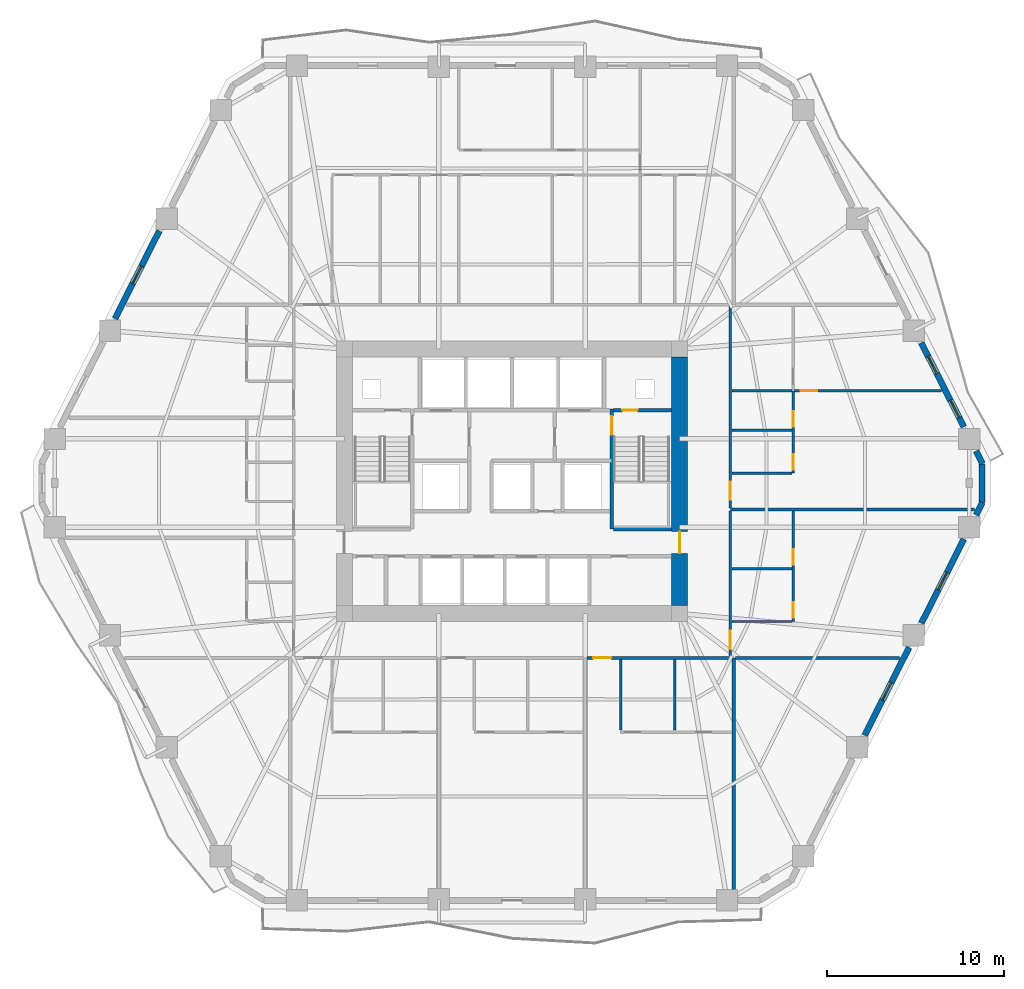
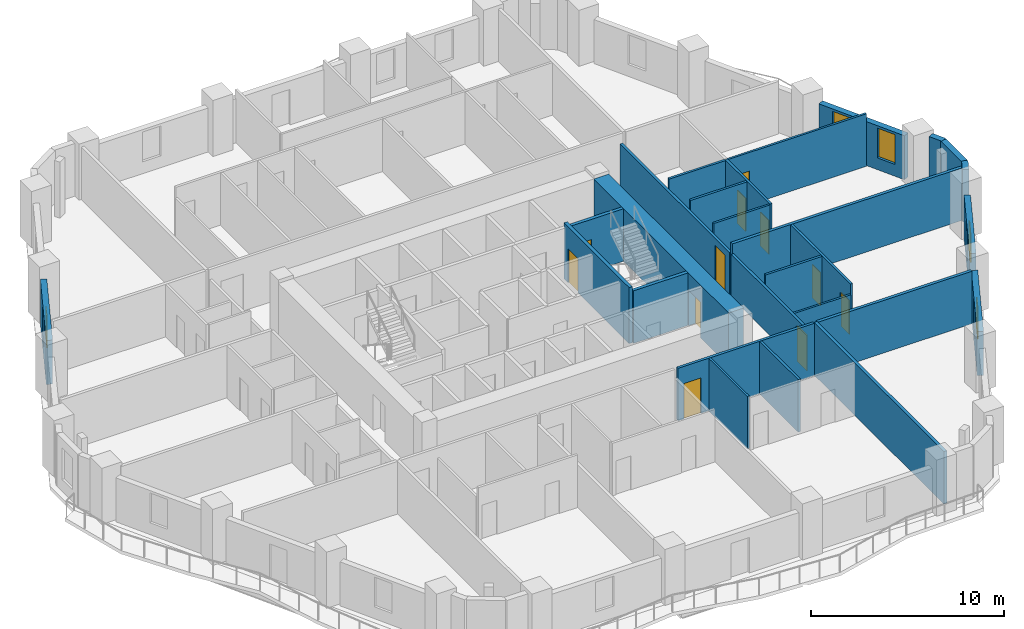
# One storey, part 6 of 11: 27 walls, 11 doors, 5 windows, 16 openings.
"""IFC4 building model written with IfcOpenShell, lengths in metres."""

from ifc_helpers import new_model, si_unit, direction, frame, frame_2d, origin, place, context, subcontext, project, spatial, rectangle, extrude, material, layer, layer_set, type_object, element, fill, save


model = new_model("IFC4")

# Units and contexts
model_context = context("Model", 3, precision=1e-05, world=origin(), true_north=direction((0.0, 1.0)))
body_context = subcontext(model_context, "Body", "Model", "MODEL_VIEW")
ifc_project = project(units=[si_unit("LENGTHUNIT", "METRE"), si_unit("AREAUNIT", "SQUARE_METRE"), si_unit("VOLUMEUNIT", "CUBIC_METRE"), si_unit("PLANEANGLEUNIT", "RADIAN"), si_unit("MASSUNIT", "GRAM", prefix="KILO")], contexts=[model_context])

# Site, building, storey
site_placement = place(None, origin())
site = spatial("IfcSite", under=ifc_project, at=site_placement, CompositionType="ELEMENT")
building_placement = place(site_placement, origin())
building = spatial("IfcBuilding", under=site, at=building_placement, Name="Cinnabar Lancet Tower", CompositionType="ELEMENT")
storey_placement = place(building_placement, frame((0.0, 0.0, 42.64990234375)))
storey = spatial("IfcBuildingStorey", under=building, at=storey_placement, Name="L10", CompositionType="ELEMENT", Elevation=42.64990234375)

# Wall, opening, door
ifc_material_1 = material(Name="Acoustic twin-stud gypsum partition", Category="gypsum")
ifc_layer_1 = layer(ifc_material_1, 0.159912109375)
ifc_layer_set_1 = layer_set([ifc_layer_1], Name="Acoustic twin-stud gypsum partition")
wall_type_1 = type_object("IfcWallType", Name="ARC-WL-CORR-160", PredefinedType="PARTITIONING", material=ifc_layer_set_1)
wall_1_placement = place(storey_placement, frame((36.616943359375, 15.949951171875, 0.0), z_axis=(0.0, 0.0, 1.0), x_axis=(1.0, 0.0, 0.0)))
wall_1 = element("IfcWall", 1, at=wall_1_placement, inside=storey, type_object=wall_type_1, Name="L10 Unit S03 Corridor Wall", PredefinedType="PARTITIONING", context=body_context, shape_type="SweptSolid", body=[
    extrude(rectangle(XDim=8.18798828125, YDim=0.159912109375, at=frame_2d((4.093994140625, 0.0))), origin(), (0.0, 0.0, 1.0), 3.330078125),
])
opening_1_placement = place(wall_1_placement, frame((0.35498046875, 0.0, 0.0)))
opening_1 = element("IfcOpeningElement", 2, at=opening_1_placement, cuts=wall_1, Name="Opening UD-01", PredefinedType="OPENING", context=body_context, shape_type="SweptSolid", body=[
    extrude(rectangle(XDim=1.02001953125, YDim=2.25, at=frame_2d((0.510009765625, 1.125))), frame((0.0, 0.08984375, 0.0), z_axis=(0.0, -1.0, 0.0), x_axis=(1.0, 0.0, 0.0)), (0.0, 0.0, 1.0), 0.179931640625),
])
ifc_material_2 = material(Name="Solid timber fire-rated apartment entrance door", Category="wood")
door_type_1 = type_object("IfcDoorType", Name="ARC-DR-UNIT", OperationType="NOTDEFINED", PredefinedType="DOOR", material=ifc_material_2)
door_1_placement = place(opening_1_placement, origin())
door_1 = element("IfcDoor", 3, at=door_1_placement, inside=storey, type_object=door_type_1, Name="DR-L10-S03-ENT", OperationType="SINGLE_SWING_LEFT", OverallHeight=2.25, OverallWidth=1.02001953125, PredefinedType="DOOR", context=body_context, shape_type="SweptSolid", body=[
    extrude(rectangle(XDim=1.02001953125, YDim=2.25, at=frame_2d((0.510009765625, 1.125))), frame((0.0, 0.02490234375, 0.0), z_axis=(0.0, -1.0, 0.0), x_axis=(1.0, 0.0, 0.0)), (0.0, 0.0, 1.0), 0.050048828125),
])
fill(opening_1, door_1)

wall_2_placement = place(storey_placement, frame((44.699951171875, 16.044921875, 0.0), z_axis=(0.0, 0.0, 1.0), x_axis=(0.0, 1.0, 0.0)))
wall_2 = element("IfcWall", 4, at=wall_2_placement, inside=storey, type_object=wall_type_1, Name="UW-L10-E01-COR", PredefinedType="PARTITIONING", context=body_context, shape_type="SweptSolid", body=[
    extrude(rectangle(XDim=8.16796875, YDim=0.159912109375, at=frame_2d((4.083984375, 0.0))), origin(), (0.0, 0.0, 1.0), 2.7001953125),
])
opening_2_placement = place(wall_2_placement, frame((0.39990234375, 0.0, 0.0)))
opening_2 = element("IfcOpeningElement", 5, at=opening_2_placement, cuts=wall_2, Name="Opening UD-01", PredefinedType="OPENING", context=body_context, shape_type="SweptSolid", body=[
    extrude(rectangle(XDim=1.02001953125, YDim=2.25, at=frame_2d((0.510009765625, 1.125))), frame((0.0, 0.08984375, 0.0), z_axis=(0.0, -1.0, 0.0), x_axis=(1.0, 0.0, 0.0)), (0.0, 0.0, 1.0), 0.179931640625),
])
door_2_placement = place(opening_2_placement, origin())
door_2 = element("IfcDoor", 6, at=door_2_placement, inside=storey, type_object=door_type_1, Name="DR-L10-E01-ENT", OperationType="SINGLE_SWING_RIGHT", OverallHeight=2.25, OverallWidth=1.02001953125, PredefinedType="DOOR", context=body_context, shape_type="SweptSolid", body=[
    extrude(rectangle(XDim=1.02001953125, YDim=2.25, at=frame_2d((0.510009765625, 1.125))), frame((0.0, 0.02490234375, 0.0), z_axis=(0.0, -1.0, 0.0), x_axis=(1.0, 0.0, 0.0)), (0.0, 0.0, 1.0), 0.050048828125),
])
fill(opening_2, door_2)

wall_3_placement = place(storey_placement, frame((44.699951171875, 24.403076171875, 0.0), z_axis=(0.0, 0.0, 1.0), x_axis=(0.0, 1.0, 0.0)))
wall_3 = element("IfcWall", 7, at=wall_3_placement, inside=storey, type_object=wall_type_1, Name="UW-L10-E02-COR", PredefinedType="PARTITIONING", context=body_context, shape_type="SweptSolid", body=[
    extrude(rectangle(XDim=11.351806640625, YDim=0.159912109375, at=frame_2d((5.67578125, 0.0))), origin(), (0.0, 0.0, 1.0), 2.7001953125),
])
opening_3_placement = place(wall_3_placement, frame((0.449951171875, 0.0, 0.0)))
opening_3 = element("IfcOpeningElement", 8, at=opening_3_placement, cuts=wall_3, Name="Opening UD-01", PredefinedType="OPENING", context=body_context, shape_type="SweptSolid", body=[
    extrude(rectangle(XDim=1.02001953125, YDim=2.25, at=frame_2d((0.510009765625, 1.125))), frame((0.0, 0.08984375, 0.0), z_axis=(0.0, -1.0, 0.0), x_axis=(1.0, 0.0, 0.0)), (0.0, 0.0, 1.0), 0.179931640625),
])
door_3_placement = place(opening_3_placement, origin())
door_3 = element("IfcDoor", 9, at=door_3_placement, inside=storey, type_object=door_type_1, Name="DR-L10-E02-ENT", OperationType="SINGLE_SWING_LEFT", OverallHeight=2.25, OverallWidth=1.02001953125, PredefinedType="DOOR", context=body_context, shape_type="SweptSolid", body=[
    extrude(rectangle(XDim=1.02001953125, YDim=2.25, at=frame_2d((0.510009765625, 1.125))), frame((0.0, 0.02490234375, 0.0), z_axis=(0.0, -1.0, 0.0), x_axis=(1.0, 0.0, 0.0)), (0.0, 0.0, 1.0), 0.050048828125),
])
fill(opening_3, door_3)

# Walls
ifc_material_3 = material(Name="Fire-rated twin-frame acoustic drywall", Category="gypsum")
ifc_layer_2 = layer(ifc_material_3, 0.179931640625)
ifc_layer_set_2 = layer_set([ifc_layer_2], Name="Fire-rated twin-frame acoustic drywall")
wall_type_2 = type_object("IfcWallType", Name="ARC-WL-PARTY-180", PredefinedType="PARTITIONING", material=ifc_layer_set_2)
wall_4_placement = place(storey_placement, frame((44.89990234375, 2.455078125, 0.0), z_axis=(0.0, 0.0, 1.0), x_axis=(0.0, 1.0, 0.0)))
element("IfcWall", 10, at=wall_4_placement, inside=storey, type_object=wall_type_2, Name="PW-L10-SPTY-449", PredefinedType="PARTITIONING", context=body_context, shape_type="SweptSolid", body=[
    extrude(rectangle(XDim=13.494873046875, YDim=0.179931640625, at=frame_2d((6.74755859375, 0.0))), origin(), (0.0, 0.0, 1.0), 3.330078125),
])
wall_5_placement = place(storey_placement, frame((44.9951171875, 15.949951171875, 0.0), z_axis=(0.0, 0.0, 1.0), x_axis=(1.0, 0.0, 0.0)))
element("IfcWall", 11, at=wall_5_placement, inside=storey, type_object=wall_type_2, Name="PW-L10-ESB", PredefinedType="PARTITIONING", context=body_context, shape_type="SweptSolid", body=[
    extrude(rectangle(XDim=9.240966796875, YDim=0.179931640625, at=frame_2d((4.62060546875, 0.0))), origin(), (0.0, 0.0, 1.0), 3.330078125),
])
wall_6_placement = place(storey_placement, frame((44.699951171875, 24.30810546875, 0.0), z_axis=(0.0, 0.0, 1.0), x_axis=(1.0, 0.0, 0.0)))
element("IfcWall", 12, at=wall_6_placement, inside=storey, type_object=wall_type_2, Name="PW-L10-EPTY-1", PredefinedType="PARTITIONING", context=body_context, shape_type="SweptSolid", body=[
    extrude(rectangle(XDim=13.76611328125, YDim=0.179931640625, at=frame_2d((6.883056640625, 0.0))), origin(), (0.0, 0.0, 1.0), 3.330078125),
])
ifc_material_4 = material(Name="Autoclaved aerated concrete blockwork", Category="masonry")
ifc_layer_3 = layer(ifc_material_4, 0.199951171875)
ifc_layer_set_3 = layer_set([ifc_layer_3], Name="Autoclaved aerated concrete blockwork")
wall_type_3 = type_object("IfcWallType", Name="ARC-WL-SHAFT-200", PredefinedType="PLUMBINGWALL", material=ifc_layer_set_3)
wall_7_placement = place(storey_placement, frame((38.125, 23.199951171875, 0.0), z_axis=(0.0, 0.0, 1.0), x_axis=(1.0, 0.0, 0.0)))
element("IfcWall", 13, at=wall_7_placement, inside=storey, type_object=wall_type_3, Name="CW-ST2S-L10", PredefinedType="PLUMBINGWALL", context=body_context, shape_type="SweptSolid", body=[
    extrude(rectangle(XDim=3.27001953125, YDim=0.199951171875, at=frame_2d((1.635009765625, 0.0))), origin(), (0.0, 0.0, 1.0), 3.330078125),
])

# Wall, opening, door
wall_8_placement = place(storey_placement, frame((38.125, 29.89990234375, 0.0), z_axis=(0.0, 0.0, 1.0), x_axis=(1.0, 0.0, 0.0)))
wall_8 = element("IfcWall", 14, at=wall_8_placement, inside=storey, type_object=wall_type_3, Name="CW-NSH-E-L10", PredefinedType="PLUMBINGWALL", context=body_context, shape_type="SweptSolid", body=[
    extrude(rectangle(XDim=3.27001953125, YDim=0.199951171875, at=frame_2d((1.635009765625, 0.0))), origin(), (0.0, 0.0, 1.0), 3.330078125),
])
opening_4_placement = place(wall_8_placement, frame((0.5, 0.0, 0.0)))
opening_4 = element("IfcOpeningElement", 15, at=opening_4_placement, cuts=wall_8, Name="Opening PD-02", PredefinedType="OPENING", context=body_context, shape_type="SweptSolid", body=[
    extrude(rectangle(XDim=0.85009765625, YDim=2.050048828125, at=frame_2d((0.425048828125, 1.02490234375))), frame((0.0, 0.10986328125, 0.0), z_axis=(0.0, -1.0, 0.0), x_axis=(1.0, 0.0, 0.0)), (0.0, 0.0, 1.0), 0.219970703125),
])
ifc_material_5 = material(Name="Fire-rated steel riser access door", Category="steel")
door_type_2 = type_object("IfcDoorType", Name="ARC-DR-RISER", OperationType="NOTDEFINED", PredefinedType="DOOR", material=ifc_material_5)
door_4_placement = place(opening_4_placement, origin())
door_4 = element("IfcDoor", 16, at=door_4_placement, inside=storey, type_object=door_type_2, Name="L10 East Riser Access Door", OperationType="SINGLE_SWING_RIGHT", OverallHeight=2.050048828125, OverallWidth=0.85009765625, PredefinedType="DOOR", context=body_context, shape_type="SweptSolid", body=[
    extrude(rectangle(XDim=0.85009765625, YDim=2.050048828125, at=frame_2d((0.425048828125, 1.02490234375))), frame((0.0, 0.02490234375, 0.0), z_axis=(0.0, -1.0, 0.0), x_axis=(1.0, 0.0, 0.0)), (0.0, 0.0, 1.0), 0.050048828125),
])
fill(opening_4, door_4)

# Walls
ifc_material_6 = material(Name="Gypsum plasterboard stud partition", Category="gypsum")
ifc_layer_4 = layer(ifc_material_6, 0.125)
ifc_layer_set_4 = layer_set([ifc_layer_4], Name="Gypsum plasterboard stud partition")
wall_type_4 = type_object("IfcWallType", Name="ARC-WL-UNIT-125", PredefinedType="PARTITIONING", material=ifc_layer_set_4)
wall_9_placement = place(storey_placement, frame((38.52197265625, 11.8720703125, 0.0), z_axis=(0.0, 0.0, 1.0), x_axis=(0.0, 1.0, 0.0)))
element("IfcWall", 17, at=wall_9_placement, inside=storey, type_object=wall_type_4, Name="UW-L10-S03-FOYE", PredefinedType="PARTITIONING", context=body_context, shape_type="SweptSolid", body=[
    extrude(rectangle(XDim=3.992919921875, YDim=0.125, at=frame_2d((1.99658203125, 0.0))), origin(), (0.0, 0.0, 1.0), 3.330078125),
])
wall_10_placement = place(storey_placement, frame((44.784912109375, 18.0, 0.0), z_axis=(0.0, 0.0, 1.0), x_axis=(1.0, 0.0, 0.0)))
element("IfcWall", 18, at=wall_10_placement, inside=storey, type_object=wall_type_4, Name="UW-L10-E01-FOYN", PredefinedType="PARTITIONING", context=body_context, shape_type="SweptSolid", body=[
    extrude(rectangle(XDim=3.380126953125, YDim=0.125, at=frame_2d((1.68994140625, 0.0))), origin(), (0.0, 0.0, 1.0), 2.7001953125),
])
wall_11_placement = place(storey_placement, frame((44.784912109375, 26.35791015625, 0.0), z_axis=(0.0, 0.0, 1.0), x_axis=(1.0, 0.0, 0.0)))
element("IfcWall", 19, at=wall_11_placement, inside=storey, type_object=wall_type_4, Name="UW-L10-E02-FOYN", PredefinedType="PARTITIONING", context=body_context, shape_type="SweptSolid", body=[
    extrude(rectangle(XDim=3.380126953125, YDim=0.125, at=frame_2d((1.68994140625, 0.0))), origin(), (0.0, 0.0, 1.0), 3.330078125),
])

# Wall, opening, door
wall_12_placement = place(storey_placement, frame((48.324951171875, 31.001953125, 0.0), z_axis=(0.0, 0.0, 1.0), x_axis=(1.0, 0.0, 0.0)))
wall_12 = element("IfcWall", 20, at=wall_12_placement, inside=storey, type_object=wall_type_4, Name="UW-L10-E02-MBN", PredefinedType="PARTITIONING", context=body_context, shape_type="SweptSolid", body=[
    extrude(rectangle(XDim=8.279052734375, YDim=0.125, at=frame_2d((4.1396484375, 0.0))), origin(), (0.0, 0.0, 1.0), 3.330078125),
])
opening_5_placement = place(wall_12_placement, frame((0.35009765625, 0.0, 0.0)))
opening_5 = element("IfcOpeningElement", 21, at=opening_5_placement, cuts=wall_12, Name="Opening RD-01", PredefinedType="OPENING", context=body_context, shape_type="SweptSolid", body=[
    extrude(rectangle(XDim=0.919921875, YDim=2.14990234375, at=frame_2d((0.4599609375, 1.074951171875))), frame((0.0, 0.072509765625, 0.0), z_axis=(0.0, -1.0, 0.0), x_axis=(1.0, 0.0, 0.0)), (0.0, 0.0, 1.0), 0.14501953125),
])
ifc_material_7 = material(Name="Engineered timber bedroom door", Category="wood")
door_type_3 = type_object("IfcDoorType", Name="ARC-DR-ROOM", OperationType="NOTDEFINED", PredefinedType="DOOR", material=ifc_material_7)
door_5_placement = place(opening_5_placement, origin())
door_5 = element("IfcDoor", 22, at=door_5_placement, inside=storey, type_object=door_type_3, Name="DR-L10-E02-MBD", OperationType="SINGLE_SWING_LEFT", OverallHeight=2.14990234375, OverallWidth=0.919921875, PredefinedType="DOOR", context=body_context, shape_type="SweptSolid", body=[
    extrude(rectangle(XDim=0.919921875, YDim=2.14990234375, at=frame_2d((0.4599609375, 1.074951171875))), frame((0.0, 0.02490234375, 0.0), z_axis=(0.0, -1.0, 0.0), x_axis=(1.0, 0.0, 0.0)), (0.0, 0.0, 1.0), 0.050048828125),
])
fill(opening_5, door_5)

# Wall
ifc_material_8 = material(Name="Moisture-resistant cement-board plumbing wall", Category="masonry")
ifc_layer_5 = layer(ifc_material_8, 0.139892578125)
ifc_layer_set_5 = layer_set([ifc_layer_5], Name="Moisture-resistant cement-board plumbing wall")
wall_type_5 = type_object("IfcWallType", Name="ARC-WL-WET-140", PredefinedType="PLUMBINGWALL", material=ifc_layer_set_5)
wall_13_placement = place(storey_placement, frame((41.5830078125, 11.8720703125, 0.0), z_axis=(0.0, 0.0, 1.0), x_axis=(0.0, 1.0, 0.0)))
element("IfcWall", 23, at=wall_13_placement, inside=storey, type_object=wall_type_5, Name="UW-L10-S03-KDV", PredefinedType="PLUMBINGWALL", context=body_context, shape_type="SweptSolid", body=[
    extrude(rectangle(XDim=3.992919921875, YDim=0.139892578125, at=frame_2d((1.99658203125, 0.0))), origin(), (0.0, 0.0, 1.0), 3.330078125),
])

# Wall, openings, doors
wall_14_placement = place(storey_placement, frame((48.25, 18.0, 0.0), z_axis=(0.0, 0.0, 1.0), x_axis=(0.0, 1.0, 0.0)))
wall_14 = element("IfcWall", 24, at=wall_14_placement, inside=storey, type_object=wall_type_5, Name="UW-L10-E01-SPL", PredefinedType="PLUMBINGWALL", context=body_context, shape_type="SweptSolid", body=[
    extrude(rectangle(XDim=6.212890625, YDim=0.139892578125, at=frame_2d((3.1064453125, 0.0))), origin(), (0.0, 0.0, 1.0), 3.330078125),
])
opening_6_placement = place(wall_14_placement, frame((3.201904296875, 0.0, 0.0)))
opening_6 = element("IfcOpeningElement", 25, at=opening_6_placement, cuts=wall_14, Name="Opening BD-01", PredefinedType="OPENING", context=body_context, shape_type="SweptSolid", body=[
    extrude(rectangle(XDim=0.860107421875, YDim=2.10009765625, at=frame_2d((0.43017578125, 1.050048828125))), frame((0.0, 0.079833984375, 0.0), z_axis=(0.0, -1.0, 0.0), x_axis=(1.0, 0.0, 0.0)), (0.0, 0.0, 1.0), 0.159912109375),
])
opening_7_placement = place(wall_14_placement, frame((0.199951171875, 0.0, 0.0)))
opening_7 = element("IfcOpeningElement", 26, at=opening_7_placement, cuts=wall_14, Name="Opening RD-02", PredefinedType="OPENING", context=body_context, shape_type="SweptSolid", body=[
    extrude(rectangle(XDim=0.8798828125, YDim=2.14990234375, at=frame_2d((0.43994140625, 1.074951171875))), frame((0.0, 0.079833984375, 0.0), z_axis=(0.0, -1.0, 0.0), x_axis=(1.0, 0.0, 0.0)), (0.0, 0.0, 1.0), 0.159912109375),
])
ifc_material_9 = material(Name="Moisture-resistant timber bathroom door", Category="wood")
door_type_4 = type_object("IfcDoorType", Name="ARC-DR-BATH", OperationType="NOTDEFINED", PredefinedType="DOOR", material=ifc_material_9)
door_6_placement = place(opening_6_placement, origin())
door_6 = element("IfcDoor", 27, at=door_6_placement, inside=storey, type_object=door_type_4, Name="DR-L10-E01-BTH", OperationType="SINGLE_SWING_RIGHT", OverallHeight=2.10009765625, OverallWidth=0.860107421875, PredefinedType="DOOR", context=body_context, shape_type="SweptSolid", body=[
    extrude(rectangle(XDim=0.860107421875, YDim=2.10009765625, at=frame_2d((0.43017578125, 1.050048828125))), frame((0.0, 0.02490234375, 0.0), z_axis=(0.0, -1.0, 0.0), x_axis=(1.0, 0.0, 0.0)), (0.0, 0.0, 1.0), 0.050048828125),
])
fill(opening_6, door_6)
ifc_material_10 = material(Name="Engineered timber study door", Category="wood")
door_type_5 = type_object("IfcDoorType", Name="ARC-DR-STUDY", OperationType="NOTDEFINED", PredefinedType="DOOR", material=ifc_material_10)
door_7_placement = place(opening_7_placement, origin())
door_7 = element("IfcDoor", 28, at=door_7_placement, inside=storey, type_object=door_type_5, Name="DR-L10-E01-KIT", OperationType="SINGLE_SWING_LEFT", OverallHeight=2.14990234375, OverallWidth=0.8798828125, PredefinedType="DOOR", context=body_context, shape_type="SweptSolid", body=[
    extrude(rectangle(XDim=0.8798828125, YDim=2.14990234375, at=frame_2d((0.43994140625, 1.074951171875))), frame((0.0, 0.02490234375, 0.0), z_axis=(0.0, -1.0, 0.0), x_axis=(1.0, 0.0, 0.0)), (0.0, 0.0, 1.0), 0.050048828125),
])
fill(opening_7, door_7)

# Wall
wall_15_placement = place(storey_placement, frame((44.784912109375, 20.98193359375, 0.0), z_axis=(0.0, 0.0, 1.0), x_axis=(1.0, 0.0, 0.0)))
element("IfcWall", 29, at=wall_15_placement, inside=storey, type_object=wall_type_5, Name="UW-L10-E01-KDV", PredefinedType="PLUMBINGWALL", context=body_context, shape_type="SweptSolid", body=[
    extrude(rectangle(XDim=3.380126953125, YDim=0.139892578125, at=frame_2d((1.68994140625, 0.0))), origin(), (0.0, 0.0, 1.0), 3.330078125),
])

# Wall, openings, doors
wall_16_placement = place(storey_placement, frame((48.25, 26.35791015625, 0.0), z_axis=(0.0, 0.0, 1.0), x_axis=(0.0, 1.0, 0.0)))
wall_16 = element("IfcWall", 30, at=wall_16_placement, inside=storey, type_object=wall_type_5, Name="UW-L10-E02-SPL", PredefinedType="PLUMBINGWALL", context=body_context, shape_type="SweptSolid", body=[
    extrude(rectangle(XDim=4.64404296875, YDim=0.139892578125, at=frame_2d((2.322021484375, 0.0))), origin(), (0.0, 0.0, 1.0), 3.330078125),
])
opening_8_placement = place(wall_16_placement, frame((0.199951171875, 0.0, 0.0)))
opening_8 = element("IfcOpeningElement", 31, at=opening_8_placement, cuts=wall_16, Name="Opening RD-02", PredefinedType="OPENING", context=body_context, shape_type="SweptSolid", body=[
    extrude(rectangle(XDim=0.8798828125, YDim=2.14990234375, at=frame_2d((0.43994140625, 1.074951171875))), frame((0.0, 0.079833984375, 0.0), z_axis=(0.0, -1.0, 0.0), x_axis=(1.0, 0.0, 0.0)), (0.0, 0.0, 1.0), 0.159912109375),
])
opening_9_placement = place(wall_16_placement, frame((2.614990234375, 0.0, 0.0)))
opening_9 = element("IfcOpeningElement", 32, at=opening_9_placement, cuts=wall_16, Name="Opening BD-01", PredefinedType="OPENING", context=body_context, shape_type="SweptSolid", body=[
    extrude(rectangle(XDim=0.860107421875, YDim=2.10009765625, at=frame_2d((0.43017578125, 1.050048828125))), frame((0.0, 0.079833984375, 0.0), z_axis=(0.0, -1.0, 0.0), x_axis=(1.0, 0.0, 0.0)), (0.0, 0.0, 1.0), 0.159912109375),
])
door_8_placement = place(opening_9_placement, origin())
door_8 = element("IfcDoor", 33, at=door_8_placement, inside=storey, type_object=door_type_4, Name="DR-L10-E02-BTH", OperationType="SINGLE_SWING_LEFT", OverallHeight=2.10009765625, OverallWidth=0.860107421875, PredefinedType="DOOR", context=body_context, shape_type="SweptSolid", body=[
    extrude(rectangle(XDim=0.860107421875, YDim=2.10009765625, at=frame_2d((0.43017578125, 1.050048828125))), frame((0.0, 0.02490234375, 0.0), z_axis=(0.0, -1.0, 0.0), x_axis=(1.0, 0.0, 0.0)), (0.0, 0.0, 1.0), 0.050048828125),
])
fill(opening_9, door_8)
door_9_placement = place(opening_8_placement, origin())
door_9 = element("IfcDoor", 34, at=door_9_placement, inside=storey, type_object=door_type_5, Name="DR-L10-E02-KIT", OperationType="SINGLE_SWING_RIGHT", OverallHeight=2.14990234375, OverallWidth=0.8798828125, PredefinedType="DOOR", context=body_context, shape_type="SweptSolid", body=[
    extrude(rectangle(XDim=0.8798828125, YDim=2.14990234375, at=frame_2d((0.43994140625, 1.074951171875))), frame((0.0, 0.02490234375, 0.0), z_axis=(0.0, -1.0, 0.0), x_axis=(1.0, 0.0, 0.0)), (0.0, 0.0, 1.0), 0.050048828125),
])
fill(opening_8, door_9)

# Walls
for number, where, z_axis, x_axis, name in (
    (35, (44.784912109375, 31.001953125, 0.0), (0.0, 0.0, 1.0), (1.0, 0.0, 0.0), "UW-L10-E02-ENSN"),
    (36, (44.784912109375, 28.77294921875, 0.0), (0.0, 0.0, 1.0), (1.0, 0.0, 0.0), "UW-L10-E02-KDV"),
):
    element("IfcWall", number, at=place(storey_placement, frame(where, z_axis=z_axis, x_axis=x_axis)), inside=storey, type_object=wall_type_5, Name=name, PredefinedType="PLUMBINGWALL", context=body_context, shape_type="SweptSolid", body=[
        extrude(rectangle(XDim=3.380126953125, YDim=0.139892578125, at=frame_2d((1.68994140625, 0.0))), origin(), (0.0, 0.0, 1.0), 3.330078125),
    ])
ifc_material_11 = material(Name="Cinnabar red clay brick", Category="masonry")
ifc_layer_6 = layer(ifc_material_11, 0.340087890625)
ifc_layer_set_6 = layer_set([ifc_layer_6], Name="Cinnabar red clay brick")
wall_type_6 = type_object("IfcWallType", Name="ENV-WL-BRK-RED-340", PredefinedType="STANDARD", material=ifc_layer_set_6)
wall_17_placement = place(storey_placement, frame((58.887939453125, 24.714111328125, 0.0), z_axis=(0.0, 0.0, 1.0), x_axis=(0.0, 1.0, 0.0)))
element("IfcWall", 37, at=wall_17_placement, inside=storey, type_object=wall_type_6, Name="L10 Chamfered Corner Brick Pier 3.1", PredefinedType="STANDARD", context=body_context, shape_type="SweptSolid", body=[
    extrude(rectangle(XDim=2.171875, YDim=0.340087890625, at=frame_2d((1.0859375, 0.0))), origin(), (0.0, 0.0, 1.0), 3.330078125),
])

# Wall, opening, window
wall_18_placement = place(storey_placement, frame((52.27099609375, 11.590087890625, 0.0), z_axis=(0.0, 0.0, 1.0), x_axis=(0.451592100298, 0.892224509273, 0.0)))
wall_18 = element("IfcWall", 38, at=wall_18_placement, inside=storey, type_object=wall_type_6, Name="L10 Face 2 Masonry Bay Wall 3", PredefinedType="STANDARD", context=body_context, shape_type="SweptSolid", body=[
    extrude(rectangle(XDim=5.546875, YDim=0.340087890625, at=frame_2d((2.7734375, 0.0))), origin(), (0.0, 0.0, 1.0), 2.787109375),
])
opening_10_placement = place(wall_18_placement, frame((2.222900390625, 0.0, 0.75)))
opening_10 = element("IfcOpeningElement", 39, at=opening_10_placement, cuts=wall_18, Name="Opening WN-04", PredefinedType="OPENING", context=body_context, shape_type="SweptSolid", body=[
    extrude(rectangle(XDim=1.10009765625, YDim=1.886962890625, at=frame_2d((0.550048828125, 0.943359375))), frame((0.0, 0.179931640625, 0.0), z_axis=(0.0, -1.0, 0.0), x_axis=(1.0, 0.0, 0.0)), (0.0, 0.0, 1.0), 0.360107421875),
])
ifc_material_12 = material(Name="Thermally broken bronze-anodized aluminium tall lancet window", Category="aluminium")
window_type = type_object("IfcWindowType", Name="ENV-WN-LANCET-1100", PartitioningType="SINGLE_PANEL", PredefinedType="WINDOW", material=ifc_material_12)
window_1_placement = place(opening_10_placement, origin())
window_1 = element("IfcWindow", 40, at=window_1_placement, inside=storey, type_object=window_type, Name="L10 Face 2 Gothic Lancet Window 3", OverallHeight=1.886962890625, OverallWidth=1.10009765625, PartitioningType="SINGLE_PANEL", PredefinedType="WINDOW", context=body_context, shape_type="SweptSolid", body=[
    extrude(rectangle(XDim=1.10009765625, YDim=1.886962890625, at=frame_2d((0.550048828125, 0.943359375))), frame((0.0, 0.030029296875, 0.0), z_axis=(0.0, -1.0, 0.0), x_axis=(1.0, 0.0, 0.0)), (0.0, 0.0, 1.0), 0.06005859375),
])
fill(opening_10, window_1)

wall_19_placement = place(storey_placement, frame((55.465087890625, 17.90087890625, 0.0), z_axis=(0.0, 0.0, 1.0), x_axis=(0.451572088722, 0.892234637686, 0.0)))
wall_19 = element("IfcWall", 41, at=wall_19_placement, inside=storey, type_object=wall_type_6, Name="L10 Face 2 Masonry Bay Wall 4", PredefinedType="STANDARD", context=body_context, shape_type="SweptSolid", body=[
    extrude(rectangle(XDim=5.3037109375, YDim=0.340087890625, at=frame_2d((2.65185546875, 0.0))), origin(), (0.0, 0.0, 1.0), 2.787109375),
])
opening_11_placement = place(wall_19_placement, frame((2.10205078125, 0.0, 0.75)))
opening_11 = element("IfcOpeningElement", 42, at=opening_11_placement, cuts=wall_19, Name="Opening WN-04", PredefinedType="OPENING", context=body_context, shape_type="SweptSolid", body=[
    extrude(rectangle(XDim=1.10009765625, YDim=1.886962890625, at=frame_2d((0.550048828125, 0.943359375))), frame((0.0, 0.179931640625, 0.0), z_axis=(0.0, -1.0, 0.0), x_axis=(1.0, 0.0, 0.0)), (0.0, 0.0, 1.0), 0.360107421875),
])
window_2_placement = place(opening_11_placement, origin())
window_2 = element("IfcWindow", 43, at=window_2_placement, inside=storey, type_object=window_type, Name="L10 Face 2 Gothic Lancet Window 4", OverallHeight=1.886962890625, OverallWidth=1.10009765625, PartitioningType="SINGLE_PANEL", PredefinedType="WINDOW", context=body_context, shape_type="SweptSolid", body=[
    extrude(rectangle(XDim=1.10009765625, YDim=1.886962890625, at=frame_2d((0.550048828125, 0.943359375))), frame((0.0, 0.030029296875, 0.0), z_axis=(0.0, -1.0, 0.0), x_axis=(1.0, 0.0, 0.0)), (0.0, 0.0, 1.0), 0.06005859375),
])
fill(opening_11, window_2)

# Walls
for number, where, z_axis, x_axis, name in (
    (44, (58.548095703125, 23.9951171875, 0.0), (0.0, 0.0, 1.0), (0.452101093511, 0.891966704113, 0.0), "L10 Face 2 Masonry Bay Wall 5"),
    (45, (58.908935546875, 26.89306640625, 0.0), (0.0, 0.0, 1.0), (-0.452101093511, 0.891966704113, 0.0), "L10 Face 3 Masonry Bay Wall 1"),
):
    element("IfcWall", number, at=place(storey_placement, frame(where, z_axis=z_axis, x_axis=x_axis)), inside=storey, type_object=wall_type_6, Name=name, PredefinedType="STANDARD", context=body_context, shape_type="SweptSolid", body=[
        extrude(rectangle(XDim=0.798095703125, YDim=0.340087890625, at=frame_2d((0.39892578125, 0.0))), origin(), (0.0, 0.0, 1.0), 3.330078125),
    ])

# Wall, openings, windows
wall_20_placement = place(storey_placement, frame((57.860107421875, 28.967041015625, 0.0), z_axis=(0.0, 0.0, 1.0), x_axis=(-0.451590635984, 0.892225250422, 0.0)))
wall_20 = element("IfcWall", 46, at=wall_20_placement, inside=storey, type_object=wall_type_6, Name="L10 Face 3 Masonry Bay Wall 2", PredefinedType="STANDARD", context=body_context, shape_type="SweptSolid", body=[
    extrude(rectangle(XDim=5.303466796875, YDim=0.340087890625, at=frame_2d((2.65185546875, 0.0))), origin(), (0.0, 0.0, 1.0), 2.787109375),
])
opening_12_placement = place(wall_20_placement, frame((0.5810546875, 0.0, 0.75)))
opening_12 = element("IfcOpeningElement", 47, at=opening_12_placement, cuts=wall_20, Name="Opening WN-04", PredefinedType="OPENING", context=body_context, shape_type="SweptSolid", body=[
    extrude(rectangle(XDim=1.10009765625, YDim=1.886962890625, at=frame_2d((0.550048828125, 0.943359375))), frame((0.0, 0.179931640625, 0.0), z_axis=(0.0, -1.0, 0.0), x_axis=(1.0, 0.0, 0.0)), (0.0, 0.0, 1.0), 0.360107421875),
])
opening_13_placement = place(wall_20_placement, frame((3.35302734375, 0.0, 0.75)))
opening_13 = element("IfcOpeningElement", 48, at=opening_13_placement, cuts=wall_20, Name="Opening WN-04", PredefinedType="OPENING", context=body_context, shape_type="SweptSolid", body=[
    extrude(rectangle(XDim=1.10009765625, YDim=1.886962890625, at=frame_2d((0.550048828125, 0.943359375))), frame((0.0, 0.179931640625, 0.0), z_axis=(0.0, -1.0, 0.0), x_axis=(1.0, 0.0, 0.0)), (0.0, 0.0, 1.0), 0.360107421875),
])
window_3_placement = place(opening_12_placement, origin())
window_3 = element("IfcWindow", 49, at=window_3_placement, inside=storey, type_object=window_type, Name="L10 Face 3 Gothic Lancet Window 2", OverallHeight=1.886962890625, OverallWidth=1.10009765625, PartitioningType="SINGLE_PANEL", PredefinedType="WINDOW", context=body_context, shape_type="SweptSolid", body=[
    extrude(rectangle(XDim=1.10009765625, YDim=1.886962890625, at=frame_2d((0.550048828125, 0.943359375))), frame((0.0, 0.030029296875, 0.0), z_axis=(0.0, -1.0, 0.0), x_axis=(1.0, 0.0, 0.0)), (0.0, 0.0, 1.0), 0.06005859375),
])
fill(opening_12, window_3)
window_4_placement = place(opening_13_placement, origin())
window_4 = element("IfcWindow", 50, at=window_4_placement, inside=storey, type_object=window_type, Name="L10 Split-Bay Gothic Lancet Window 18", OverallHeight=1.886962890625, OverallWidth=1.10009765625, PartitioningType="SINGLE_PANEL", PredefinedType="WINDOW", context=body_context, shape_type="SweptSolid", body=[
    extrude(rectangle(XDim=1.10009765625, YDim=1.886962890625, at=frame_2d((0.550048828125, 0.943359375))), frame((0.0, 0.030029296875, 0.0), z_axis=(0.0, -1.0, 0.0), x_axis=(1.0, 0.0, 0.0)), (0.0, 0.0, 1.0), 0.06005859375),
])
fill(opening_13, window_4)

# Wall, opening, window
wall_21_placement = place(storey_placement, frame((12.529052734375, 40.010009765625, 0.0), z_axis=(0.0, 0.0, 1.0), x_axis=(-0.451627137896, -0.892206774417, 0.0)))
wall_21 = element("IfcWall", 51, at=wall_21_placement, inside=storey, type_object=wall_type_6, Name="L10 Face 5 Masonry Bay Wall 3", PredefinedType="STANDARD", context=body_context, shape_type="SweptSolid", body=[
    extrude(rectangle(XDim=5.546875, YDim=0.340087890625, at=frame_2d((2.7734375, 0.0))), origin(), (0.0, 0.0, 1.0), 2.787109375),
])
opening_14_placement = place(wall_21_placement, frame((2.222900390625, 0.0, 0.75)))
opening_14 = element("IfcOpeningElement", 52, at=opening_14_placement, cuts=wall_21, Name="Opening WN-04", PredefinedType="OPENING", context=body_context, shape_type="SweptSolid", body=[
    extrude(rectangle(XDim=1.10009765625, YDim=1.886962890625, at=frame_2d((0.550048828125, 0.943359375))), frame((0.0, 0.179931640625, 0.0), z_axis=(0.0, -1.0, 0.0), x_axis=(1.0, 0.0, 0.0)), (0.0, 0.0, 1.0), 0.360107421875),
])
window_5_placement = place(opening_14_placement, origin())
window_5 = element("IfcWindow", 53, at=window_5_placement, inside=storey, type_object=window_type, Name="L10 Face 5 Gothic Lancet Window 3", OverallHeight=1.886962890625, OverallWidth=1.10009765625, PartitioningType="SINGLE_PANEL", PredefinedType="WINDOW", context=body_context, shape_type="SweptSolid", body=[
    extrude(rectangle(XDim=1.10009765625, YDim=1.886962890625, at=frame_2d((0.550048828125, 0.943359375))), frame((0.0, 0.030029296875, 0.0), z_axis=(0.0, -1.0, 0.0), x_axis=(1.0, 0.0, 0.0)), (0.0, 0.0, 1.0), 0.06005859375),
])
fill(opening_14, window_5)

# Wall, opening, door
ifc_material_13 = material(Name="Concrete C80/95", Category="concrete")
ifc_layer_7 = layer(ifc_material_13, 0.89990234375)
ifc_layer_set_7 = layer_set([ifc_layer_7], Name="Concrete C80/95")
wall_type_7 = type_object("IfcWallType", Name="STR-WL-CORE-900", PredefinedType="SHEAR", material=ifc_layer_set_7)
wall_22_placement = place(storey_placement, frame((41.85009765625, 18.89990234375, 0.0), z_axis=(0.0, 0.0, 1.0), x_axis=(0.0, 1.0, 0.0)))
wall_22 = element("IfcWall", 54, at=wall_22_placement, inside=storey, type_object=wall_type_7, Name="L10 Core Shear Wall E", PredefinedType="SHEAR", context=body_context, shape_type="SweptSolid", body=[
    extrude(rectangle(XDim=14.0, YDim=0.89990234375, at=frame_2d((7.0, 0.0))), origin(), (0.0, 0.0, 1.0), 3.330078125),
])
opening_15_placement = place(wall_22_placement, frame((2.93994140625, 0.0, 0.0)))
opening_15 = element("IfcOpeningElement", 55, at=opening_15_placement, cuts=wall_22, Name="Opening FD-02", PredefinedType="OPENING", context=body_context, shape_type="SweptSolid", body=[
    extrude(rectangle(XDim=1.219970703125, YDim=2.25, at=frame_2d((0.60986328125, 1.125))), frame((0.0, 0.4599609375, 0.0), z_axis=(0.0, -1.0, 0.0), x_axis=(1.0, 0.0, 0.0)), (0.0, 0.0, 1.0), 0.919921875),
])
ifc_material_14 = material(Name="Fire-rated double-vision core portal door", Category="wood")
door_type_6 = type_object("IfcDoorType", Name="ARC-DR-CPORT", OperationType="NOTDEFINED", PredefinedType="DOOR", material=ifc_material_14)
door_10_placement = place(opening_15_placement, origin())
door_10 = element("IfcDoor", 56, at=door_10_placement, inside=storey, type_object=door_type_6, Name="L10 East Core Lobby Fire Door", OperationType="SINGLE_SWING_LEFT", OverallHeight=2.25, OverallWidth=1.219970703125, PredefinedType="DOOR", context=body_context, shape_type="SweptSolid", body=[
    extrude(rectangle(XDim=1.219970703125, YDim=2.25, at=frame_2d((0.60986328125, 1.125))), frame((0.0, 0.02490234375, 0.0), z_axis=(0.0, -1.0, 0.0), x_axis=(1.0, 0.0, 0.0)), (0.0, 0.0, 1.0), 0.050048828125),
])
fill(opening_15, door_10)

ifc_material_15 = material(Name="Concrete C50/60", Category="concrete")
ifc_layer_8 = layer(ifc_material_15, 0.199951171875)
ifc_layer_set_8 = layer_set([ifc_layer_8], Name="Concrete C50/60")
wall_type_8 = type_object("IfcWallType", Name="STR-WL-STAIR-200", PredefinedType="SHEAR", material=ifc_layer_set_8)
wall_23_placement = place(storey_placement, frame((38.02001953125, 23.199951171875, 0.0), z_axis=(0.0, 0.0, 1.0), x_axis=(0.0, 1.0, 0.0)))
wall_23 = element("IfcWall", 57, at=wall_23_placement, inside=storey, type_object=wall_type_8, Name="L10 Stair ST-2 Structural Enclosure Wall", PredefinedType="SHEAR", context=body_context, shape_type="SweptSolid", body=[
    extrude(rectangle(XDim=6.780029296875, YDim=0.199951171875, at=frame_2d((3.39013671875, 0.0))), origin(), (0.0, 0.0, 1.0), 3.550048828125),
])
opening_16_placement = place(wall_23_placement, frame((5.320068359375, 0.0, 0.0)))
opening_16 = element("IfcOpeningElement", 58, at=opening_16_placement, cuts=wall_23, Name="Opening SD-01", PredefinedType="OPENING", context=body_context, shape_type="SweptSolid", body=[
    extrude(rectangle(XDim=1.050048828125, YDim=2.14990234375, at=frame_2d((0.52490234375, 1.074951171875))), frame((0.0, 0.10986328125, 0.0), z_axis=(0.0, -1.0, 0.0), x_axis=(1.0, 0.0, 0.0)), (0.0, 0.0, 1.0), 0.219970703125),
])
ifc_material_16 = material(Name="Fire-rated steel stair exit door", Category="steel")
door_type_7 = type_object("IfcDoorType", Name="ARC-DR-STAIR", OperationType="NOTDEFINED", PredefinedType="DOOR", material=ifc_material_16)
door_11_placement = place(opening_16_placement, origin())
door_11 = element("IfcDoor", 59, at=door_11_placement, inside=storey, type_object=door_type_7, Name="L10 Stair ST-2 Fire Door", OperationType="SINGLE_SWING_RIGHT", OverallHeight=2.14990234375, OverallWidth=1.050048828125, PredefinedType="DOOR", context=body_context, shape_type="SweptSolid", body=[
    extrude(rectangle(XDim=1.050048828125, YDim=2.14990234375, at=frame_2d((0.52490234375, 1.074951171875))), frame((0.0, 0.02490234375, 0.0), z_axis=(0.0, -1.0, 0.0), x_axis=(1.0, 0.0, 0.0)), (0.0, 0.0, 1.0), 0.050048828125),
])
fill(opening_16, door_11)

save(model, "model.ifc")
